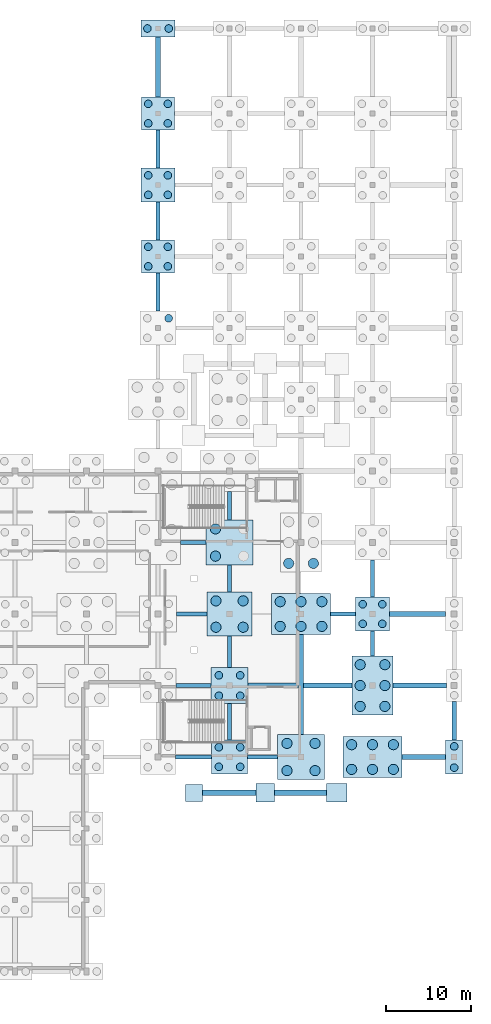
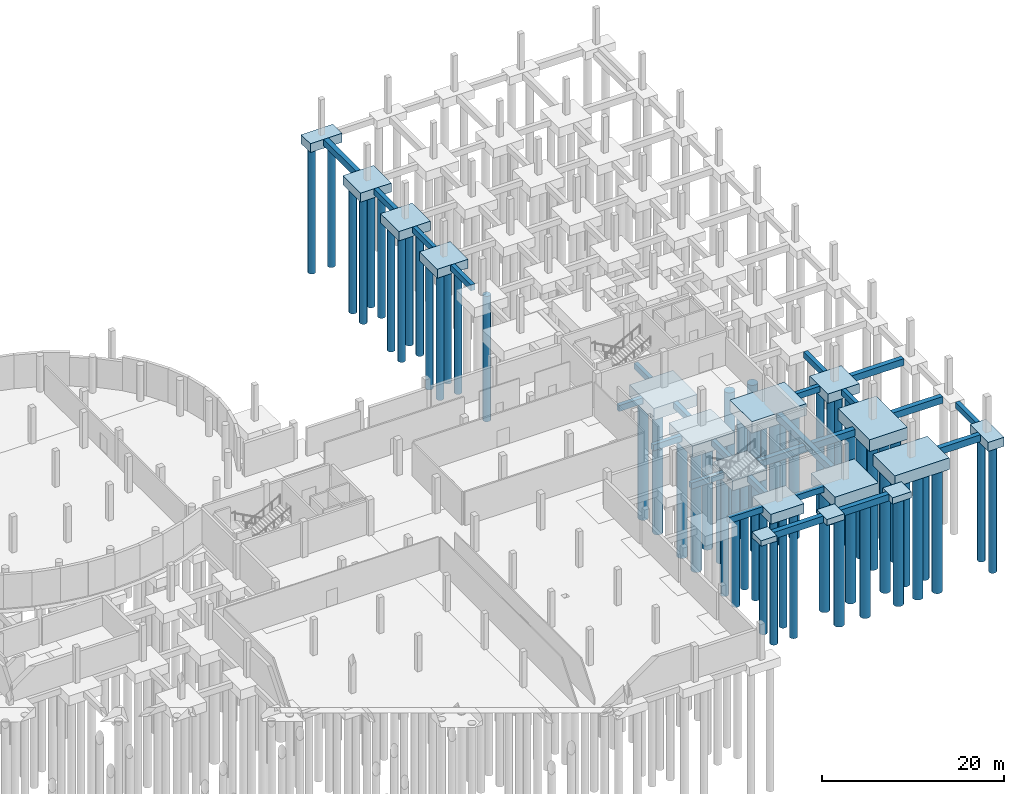
# One storey, part 9 of 24: 59 piles, 41 footings.
"""IFC4 building model written with IfcOpenShell, lengths in metres."""

import ifcopenshell
import ifcopenshell.guid

model = None  # the IFC model being written
_history = None  # IfcOwnerHistory: only IFC2X3 demands one
_inside = {}  # id of a spatial element -> (the spatial element, [elements in it])
_under = {}  # id of a project, library or spatial element -> (it, [spatial elements below it])
_declared = {}  # id of a project -> (the project, [libraries it declares])
_typed = {}  # id of a type object -> (the type object, [elements of that type])
_made_of = {}  # id of a material, layer set ... -> (it, [elements and type objects made of it])


def new_model(schema):
    """Start an empty IFC model of exactly this schema.

    Asked for "IFC4X3", IfcOpenShell would pick the latest addendum, in which some entities
    have other attributes; the version numbers below select the first issue.
    IFC2X3 requires an IfcOwnerHistory on every rooted entity: one is made here for all.
    """
    global model, _history
    if schema == "IFC4X3":
        model = ifcopenshell.file(schema_version=(4, 3, 0, 0))
    else:
        model = ifcopenshell.file(schema=schema)
    _inside.clear()
    _under.clear()
    _declared.clear()
    _typed.clear()
    _made_of.clear()
    _history = None
    if model.schema == "IFC2X3":
        org = make("IfcOrganization", Name="unknown")
        user = make(
            "IfcPersonAndOrganization",
            ThePerson=make("IfcPerson", FamilyName="unknown"),
            TheOrganization=org,
        )
        app = make(
            "IfcApplication",
            ApplicationDeveloper=org,
            Version="unknown",
            ApplicationFullName="unknown",
            ApplicationIdentifier="unknown",
        )
        _history = make(
            "IfcOwnerHistory",
            OwningUser=user,
            OwningApplication=app,
            ChangeAction="ADDED",
            CreationDate=0,
        )
    return model


def make(cls, **values):
    """One entity of the class cls with the attributes given. An attribute that is None is left unset."""
    return model.create_entity(
        cls, **{name: value for name, value in values.items() if value is not None}
    )


def rooted(cls, **values):
    """An entity with a GlobalId (a new one), such as an element, a storey or a relation."""
    return make(cls, GlobalId=ifcopenshell.guid.new(), OwnerHistory=_history, **values)


def si_unit(unit_type, name, prefix=None):
    """IfcSIUnit, for example si_unit("LENGTHUNIT", "METRE", prefix="MILLI")."""
    return make("IfcSIUnit", UnitType=unit_type, Prefix=prefix, Name=name)


def derived_unit(unit_type, elements):
    """IfcDerivedUnit: a product of units, each with its exponent."""
    return make(
        "IfcDerivedUnit",
        Elements=[
            make("IfcDerivedUnitElement", Unit=unit, Exponent=power)
            for unit, power in elements
        ],
        UnitType=unit_type,
    )


def assignment(units):
    """IfcUnitAssignment: the units of a project."""
    return None if units is None else make("IfcUnitAssignment", Units=units)


def point(xyz):
    """IfcCartesianPoint."""
    return None if xyz is None else make("IfcCartesianPoint", Coordinates=xyz)


def direction(xyz):
    """IfcDirection."""
    return None if xyz is None else make("IfcDirection", DirectionRatios=xyz)


def frame(location, z_axis=None, x_axis=None):
    """IfcAxis2Placement3D, a coordinate frame: its origin and axes. An axis left out is left unset."""
    return make(
        "IfcAxis2Placement3D",
        Location=point(location),
        Axis=direction(z_axis),
        RefDirection=direction(x_axis),
    )


def frame_2d(location, x_axis=None):
    """IfcAxis2Placement2D, a coordinate frame in the plane: its origin and x axis."""
    return make(
        "IfcAxis2Placement2D", Location=point(location), RefDirection=direction(x_axis)
    )


def origin():
    """The frame at (0, 0, 0) with its axes left unset."""
    return frame((0.0, 0.0, 0.0))


def origin_2d():
    """The frame at (0, 0) in the plane with its x axis left unset."""
    return frame_2d((0.0, 0.0))


def place(relative_to, where):
    """IfcLocalPlacement: puts the frame where relative to a parent placement (None: the world)."""
    return make(
        "IfcLocalPlacement", PlacementRelTo=relative_to, RelativePlacement=where
    )


def context(
    kind, dimensions, precision=None, world=None, true_north=None, identifier=None
):
    """IfcGeometricRepresentationContext, for example the 3D "Model" context."""
    return make(
        "IfcGeometricRepresentationContext",
        ContextIdentifier=identifier,
        ContextType=kind,
        CoordinateSpaceDimension=dimensions,
        Precision=precision,
        WorldCoordinateSystem=world,
        TrueNorth=true_north,
    )


def subcontext(parent, identifier, kind, view, scale=None):
    """IfcGeometricRepresentationSubContext, for example "Body" below "Model"."""
    return make(
        "IfcGeometricRepresentationSubContext",
        ContextIdentifier=identifier,
        ContextType=kind,
        ParentContext=parent,
        TargetScale=scale,
        TargetView=view,
    )


def project(units=None, contexts=None):
    """IfcProject with its units and contexts."""
    return rooted(
        "IfcProject",
        Name="project",
        RepresentationContexts=contexts,
        UnitsInContext=assignment(units),
    )


def spatial(cls, under=None, at=None, **own):
    """A site, building, storey or space (cls), placed at a placement, below another one or the project."""
    s = rooted(cls, ObjectPlacement=at, **own)
    if under is not None:
        _under.setdefault(under.id(), (under, []))[1].append(s)
    return s


def profile(cls, at=None, kind="AREA", **sizes):
    """A parametric profile (cls). Its sizes go by their IFC names, for example OverallWidth=200.0."""
    return make(cls, ProfileType=kind, Position=at, **sizes)


def rectangle(**sizes):
    """IfcRectangleProfileDef."""
    return profile("IfcRectangleProfileDef", **sizes)


def circle(**sizes):
    """IfcCircleProfileDef."""
    return profile("IfcCircleProfileDef", **sizes)


def extrude(swept, where, along, depth):
    """IfcExtrudedAreaSolid: the profile swept, set in the frame where, extruded along a direction by depth."""
    return make(
        "IfcExtrudedAreaSolid",
        SweptArea=swept,
        Position=where,
        ExtrudedDirection=direction(along),
        Depth=depth,
    )


def shape(context_of_items, identifier, shape_type, items):
    """IfcShapeRepresentation: the items that make up one representation, for example the "Body"."""
    return make(
        "IfcShapeRepresentation",
        ContextOfItems=context_of_items,
        RepresentationIdentifier=identifier,
        RepresentationType=shape_type,
        Items=items,
    )


def material(Name=None, Category=None):
    """IfcMaterial."""
    return make("IfcMaterial", Name=Name, Category=Category)


def layer(
    of_material, thickness, ventilated=None, Name=None, Category=None, Priority=None
):
    """IfcMaterialLayer: one layer of a wall or slab, of a material (None: an air gap)."""
    return make(
        "IfcMaterialLayer",
        Material=of_material,
        LayerThickness=thickness,
        IsVentilated=ventilated,
        Name=Name,
        Category=Category,
        Priority=Priority,
    )


def layer_set(layers, Name=None):
    """IfcMaterialLayerSet."""
    return make("IfcMaterialLayerSet", MaterialLayers=layers, LayerSetName=Name)


def material_profile(
    of_material, cross_section, Name=None, Category=None, Priority=None
):
    """IfcMaterialProfile: a cross section and its material."""
    return make(
        "IfcMaterialProfile",
        Name=Name,
        Material=of_material,
        Profile=cross_section,
        Priority=Priority,
        Category=Category,
    )


def profile_set(profiles, Name=None, composite=None):
    """IfcMaterialProfileSet."""
    return make(
        "IfcMaterialProfileSet",
        Name=Name,
        MaterialProfiles=profiles,
        CompositeProfile=composite,
    )


def made_of(thing, what):
    """Note that an element or type object is made of a material, layer set ...; save() writes the relation."""
    if what is not None:
        _made_of.setdefault(what.id(), (what, []))[1].append(thing)
    return thing


def type_object(cls, material=None, **own):
    """A type object (cls), such as IfcWallType, which elements share."""
    return made_of(rooted(cls, **own), material)


def element(
    cls,
    number,
    at=None,
    inside=None,
    cuts=None,
    type_object=None,
    material=None,
    context=None,
    identifier="Body",
    shape_type=None,
    held_by="IfcProductDefinitionShape",
    body=None,
    shapes=None,
    **own,
):
    """One element of the class cls, such as IfcWall. Its Tag is "e" and its number.

    at: its placement. inside: the storey or other place that contains it. cuts: it is an
    opening in that element (IfcRelVoidsElement). A single representation is given by context,
    identifier, shape_type and body (its items); several are given by shapes. held_by: the class
    of the entity that holds the representations. save() writes the other relations.
    """
    e = rooted(cls, Tag="e%d" % number, ObjectPlacement=at, **own)
    if body is not None:
        shapes = [shape(context, identifier, shape_type, body)]
    if shapes is not None:
        e.Representation = make(held_by, Representations=shapes)
    if inside is not None:
        _inside.setdefault(inside.id(), (inside, []))[1].append(e)
    if cuts is not None:
        rooted(
            "IfcRelVoidsElement", RelatingBuildingElement=cuts, RelatedOpeningElement=e
        )
    if type_object is not None:
        _typed.setdefault(type_object.id(), (type_object, []))[1].append(e)
    return made_of(e, material)


def aggregate(whole, parts):
    """IfcRelAggregates: a whole, such as a stair, and the parts it consists of."""
    return rooted("IfcRelAggregates", RelatingObject=whole, RelatedObjects=parts)


def save(model, path):
    """Write the relations noted so far, then the file.

    IfcRelAggregates (storeys below a building ...), IfcRelContainedInSpatialStructure (elements
    in a storey), IfcRelDefinesByType, IfcRelAssociatesMaterial and IfcRelDeclares: one each for
    every whole, place, type object, material and project.
    """
    for whole, parts in _under.values():
        aggregate(whole, parts)
    for where, things in _inside.values():
        rooted(
            "IfcRelContainedInSpatialStructure",
            RelatedElements=things,
            RelatingStructure=where,
        )
    for kind, things in _typed.values():
        rooted("IfcRelDefinesByType", RelatedObjects=things, RelatingType=kind)
    for what, things in _made_of.values():
        rooted("IfcRelAssociatesMaterial", RelatedObjects=things, RelatingMaterial=what)
    for by, libraries in _declared.values():
        rooted("IfcRelDeclares", RelatingContext=by, RelatedDefinitions=libraries)
    model.write(path)


model = new_model("IFC4")

# Units and contexts
model_context = context("Model", 3, precision=1e-05, world=origin(), true_north=direction((0.0, 1.0)))
body_context = subcontext(model_context, "Body", "Model", "MODEL_VIEW")
ifc_project = project(units=[si_unit("LENGTHUNIT", "METRE"), si_unit("AREAUNIT", "SQUARE_METRE"), si_unit("VOLUMEUNIT", "CUBIC_METRE"), si_unit("PLANEANGLEUNIT", "RADIAN"), si_unit("MASSUNIT", "GRAM", prefix="KILO"), derived_unit("THERMALTRANSMITTANCEUNIT", [(si_unit("POWERUNIT", "WATT"), 1), (si_unit("LENGTHUNIT", "METRE"), -2), (si_unit("THERMODYNAMICTEMPERATUREUNIT", "KELVIN"), -1)])], contexts=[model_context])

# Site, building, storey
site_placement = place(None, origin())
site = spatial("IfcSite", under=ifc_project, at=site_placement, CompositionType="ELEMENT")
building_placement = place(site_placement, origin())
building = spatial("IfcBuilding", under=site, at=building_placement, Name="Elbkamm Science Centre", CompositionType="ELEMENT")
storey_placement = place(building_placement, frame((0.0, 0.0, -4.800048828125)))
storey = spatial("IfcBuildingStorey", under=building, at=storey_placement, Name="B01", CompositionType="ELEMENT", Elevation=-4.800048828125)

# Footings
ifc_material = material(Name="Concrete C35/45", Category="concrete")
footing_type_1 = type_object("IfcFootingType", Name="FTG-TIE-500x800", PredefinedType="FOOTING_BEAM", material=ifc_material)
footing_1_placement = place(storey_placement, frame((130.175048828125, 25.199951171875, -0.7998046875), z_axis=(0.0, 0.0, 1.0), x_axis=(1.0, 0.0, 0.0)))
element("IfcFooting", 1, at=footing_1_placement, inside=storey, type_object=footing_type_1, Name="Substructure Ground Tie Beam X-040", PredefinedType="FOOTING_BEAM", context=body_context, shape_type="SweptSolid", body=[
    extrude(rectangle(XDim=4.25, YDim=0.5, at=origin_2d()), origin(), (0.0, 0.0, 1.0), 0.800048828125),
])
footing_2_placement = place(storey_placement, frame((138.27490234375, 25.199951171875, -0.7998046875), z_axis=(0.0, 0.0, 1.0), x_axis=(1.0, 0.0, 0.0)))
element("IfcFooting", 2, at=footing_2_placement, inside=storey, type_object=footing_type_1, Name="Substructure Ground Tie Beam X-041", PredefinedType="FOOTING_BEAM", context=body_context, shape_type="SweptSolid", body=[
    extrude(rectangle(XDim=3.550048828125, YDim=0.5, at=origin_2d()), origin(), (0.0, 0.0, 1.0), 0.800048828125),
])
footing_3_placement = place(storey_placement, frame((130.175048828125, 33.60009765625, -1.2998046875), z_axis=(0.0, 0.0, 1.0), x_axis=(1.0, 0.0, 0.0)))
element("IfcFooting", 3, at=footing_3_placement, inside=storey, type_object=footing_type_1, Name="Substructure Ground Tie Beam X-055", PredefinedType="FOOTING_BEAM", context=body_context, shape_type="SweptSolid", body=[
    extrude(rectangle(XDim=4.14990234375, YDim=0.5, at=origin_2d()), origin(), (0.0, 0.0, 1.0), 0.800048828125),
])
footing_4_placement = place(storey_placement, frame((129.949951171875, 42.0, -1.2998046875), z_axis=(0.0, 0.0, 1.0), x_axis=(1.0, 0.0, 0.0)))
element("IfcFooting", 4, at=footing_4_placement, inside=storey, type_object=footing_type_1, Name="Substructure Ground Tie Beam X-068", PredefinedType="FOOTING_BEAM", context=body_context, shape_type="SweptSolid", body=[
    extrude(rectangle(XDim=3.60009765625, YDim=0.5, at=origin_2d()), origin(), (0.0, 0.0, 1.0), 0.800048828125),
])
footing_5_placement = place(storey_placement, frame((147.72509765625, 42.0, -0.7998046875), z_axis=(0.0, 0.0, 1.0), x_axis=(1.0, 0.0, 0.0)))
element("IfcFooting", 5, at=footing_5_placement, inside=storey, type_object=footing_type_1, Name="Substructure Ground Tie Beam X-069", PredefinedType="FOOTING_BEAM", context=body_context, shape_type="SweptSolid", body=[
    extrude(rectangle(XDim=2.949951171875, YDim=0.5, at=origin_2d()), origin(), (0.0, 0.0, 1.0), 0.800048828125),
])
footing_6_placement = place(storey_placement, frame((130.14990234375, 50.39990234375, -1.2998046875), z_axis=(0.0, 0.0, 1.0), x_axis=(1.0, 0.0, 0.0)))
element("IfcFooting", 6, at=footing_6_placement, inside=storey, type_object=footing_type_1, Name="Substructure Ground Tie Beam X-077", PredefinedType="FOOTING_BEAM", context=body_context, shape_type="SweptSolid", body=[
    extrude(rectangle(XDim=3.0, YDim=0.5, at=origin_2d()), origin(), (0.0, 0.0, 1.0), 0.800048828125),
])
for number, where, z_axis, x_axis, name in (
    (7, (126.0, 79.824951171875, -0.7998046875), (0.0, 0.0, 1.0), (1.0, 0.0, 0.0), "Substructure Ground Tie Beam Y-212"),
    (8, (126.0, 88.175048828125, -0.7998046875), (0.0, 0.0, 1.0), (1.0, 0.0, 0.0), "Substructure Ground Tie Beam Y-213"),
    (9, (126.0, 96.625, -0.7998046875), (0.0, 0.0, 1.0), (1.0, 0.0, 0.0), "Substructure Ground Tie Beam Y-214"),
):
    element("IfcFooting", number, at=place(storey_placement, frame(where, z_axis=z_axis, x_axis=x_axis)), inside=storey, type_object=footing_type_1, Name=name, PredefinedType="FOOTING_BEAM", context=body_context, shape_type="SweptSolid", body=[
        extrude(rectangle(XDim=0.5, YDim=4.449951171875, at=origin_2d()), origin(), (0.0, 0.0, 1.0), 0.800048828125),
    ])
footing_7_placement = place(storey_placement, frame((134.39990234375, 29.35009765625, -1.2998046875), z_axis=(0.0, 0.0, 1.0), x_axis=(1.0, 0.0, 0.0)))
element("IfcFooting", 10, at=footing_7_placement, inside=storey, type_object=footing_type_1, Name="Substructure Ground Tie Beam Y-216", PredefinedType="FOOTING_BEAM", context=body_context, shape_type="SweptSolid", body=[
    extrude(rectangle(XDim=0.5, YDim=4.300048828125, at=origin_2d()), origin(), (0.0, 0.0, 1.0), 0.800048828125),
])
footing_8_placement = place(storey_placement, frame((134.39990234375, 37.550048828125, -1.2998046875), z_axis=(0.0, 0.0, 1.0), x_axis=(1.0, 0.0, 0.0)))
element("IfcFooting", 11, at=footing_8_placement, inside=storey, type_object=footing_type_1, Name="Substructure Ground Tie Beam Y-217", PredefinedType="FOOTING_BEAM", context=body_context, shape_type="SweptSolid", body=[
    extrude(rectangle(XDim=0.5, YDim=3.699951171875, at=origin_2d()), origin(), (0.0, 0.0, 1.0), 0.800048828125),
])
footing_9_placement = place(storey_placement, frame((134.39990234375, 46.175048828125, -1.2998046875), z_axis=(0.0, 0.0, 1.0), x_axis=(1.0, 0.0, 0.0)))
element("IfcFooting", 12, at=footing_9_placement, inside=storey, type_object=footing_type_1, Name="Substructure Ground Tie Beam Y-218", PredefinedType="FOOTING_BEAM", context=body_context, shape_type="SweptSolid", body=[
    extrude(rectangle(XDim=0.5, YDim=3.14990234375, at=origin_2d()), origin(), (0.0, 0.0, 1.0), 0.800048828125),
])
footing_10_placement = place(storey_placement, frame((134.39990234375, 54.72509765625, -1.2998046875), z_axis=(0.0, 0.0, 1.0), x_axis=(1.0, 0.0, 0.0)))
element("IfcFooting", 13, at=footing_10_placement, inside=storey, type_object=footing_type_1, Name="Substructure Ground Tie Beam Y-219", PredefinedType="FOOTING_BEAM", context=body_context, shape_type="SweptSolid", body=[
    extrude(rectangle(XDim=0.5, YDim=3.35009765625, at=origin_2d()), origin(), (0.0, 0.0, 1.0), 0.800048828125),
])
footing_11_placement = place(storey_placement, frame((151.199951171875, 38.52490234375, -0.7998046875), z_axis=(0.0, 0.0, 1.0), x_axis=(1.0, 0.0, 0.0)))
element("IfcFooting", 14, at=footing_11_placement, inside=storey, type_object=footing_type_1, Name="Substructure Ground Tie Beam Y-232", PredefinedType="FOOTING_BEAM", context=body_context, shape_type="SweptSolid", body=[
    extrude(rectangle(XDim=0.5, YDim=2.949951171875, at=origin_2d()), origin(), (0.0, 0.0, 1.0), 0.800048828125),
])
footing_12_placement = place(storey_placement, frame((151.199951171875, 46.175048828125, -0.7998046875), z_axis=(0.0, 0.0, 1.0), x_axis=(1.0, 0.0, 0.0)))
element("IfcFooting", 15, at=footing_12_placement, inside=storey, type_object=footing_type_1, Name="Substructure Ground Tie Beam Y-233", PredefinedType="FOOTING_BEAM", context=body_context, shape_type="SweptSolid", body=[
    extrude(rectangle(XDim=0.5, YDim=4.35009765625, at=origin_2d()), origin(), (0.0, 0.0, 1.0), 0.800048828125),
])
footing_13_placement = place(storey_placement, frame((160.800048828125, 29.449951171875, -0.7998046875), z_axis=(0.0, 0.0, 1.0), x_axis=(1.0, 0.0, 0.0)))
element("IfcFooting", 16, at=footing_13_placement, inside=storey, type_object=footing_type_1, Name="Substructure Ground Tie Beam Y-241", PredefinedType="FOOTING_BEAM", context=body_context, shape_type="SweptSolid", body=[
    extrude(rectangle(XDim=0.5, YDim=4.5, at=origin_2d()), origin(), (0.0, 0.0, 1.0), 0.800048828125),
])
footing_type_2 = type_object("IfcFootingType", Name="FTG-TIE-600x900", PredefinedType="FOOTING_BEAM", material=ifc_material)
footing_14_placement = place(storey_placement, frame((157.22509765625, 25.199951171875, -0.89990234375), z_axis=(0.0, 0.0, 1.0), x_axis=(1.0, 0.0, 0.0)))
element("IfcFooting", 17, at=footing_14_placement, inside=storey, type_object=footing_type_2, Name="Substructure Ground Tie Beam X-042", PredefinedType="FOOTING_BEAM", context=body_context, shape_type="SweptSolid", body=[
    extrude(rectangle(XDim=5.14990234375, YDim=0.60009765625, at=origin_2d()), origin(), (0.0, 0.0, 1.0), 0.89990234375),
])
footing_15_placement = place(storey_placement, frame((142.675048828125, 33.60009765625, -1.39990234375), z_axis=(0.0, 0.0, 1.0), x_axis=(1.0, 0.0, 0.0)))
element("IfcFooting", 18, at=footing_15_placement, inside=storey, type_object=footing_type_2, Name="Substructure Ground Tie Beam X-056", PredefinedType="FOOTING_BEAM", context=body_context, shape_type="SweptSolid", body=[
    extrude(rectangle(XDim=12.25, YDim=0.60009765625, at=origin_2d()), origin(), (0.0, 0.0, 1.0), 0.89990234375),
])
footing_16_placement = place(storey_placement, frame((156.75, 33.60009765625, -0.89990234375), z_axis=(0.0, 0.0, 1.0), x_axis=(1.0, 0.0, 0.0)))
element("IfcFooting", 19, at=footing_16_placement, inside=storey, type_object=footing_type_2, Name="Substructure Ground Tie Beam X-057", PredefinedType="FOOTING_BEAM", context=body_context, shape_type="SweptSolid", body=[
    extrude(rectangle(XDim=6.300048828125, YDim=0.60009765625, at=origin_2d()), origin(), (0.0, 0.0, 1.0), 0.89990234375),
])
footing_17_placement = place(storey_placement, frame((156.5, 42.0, -0.89990234375), z_axis=(0.0, 0.0, 1.0), x_axis=(1.0, 0.0, 0.0)))
element("IfcFooting", 20, at=footing_17_placement, inside=storey, type_object=footing_type_2, Name="Substructure Ground Tie Beam X-070", PredefinedType="FOOTING_BEAM", context=body_context, shape_type="SweptSolid", body=[
    extrude(rectangle(XDim=6.60009765625, YDim=0.60009765625, at=origin_2d()), origin(), (0.0, 0.0, 1.0), 0.89990234375),
])
footing_18_placement = place(storey_placement, frame((126.0, 106.27490234375, -0.89990234375), z_axis=(0.0, 0.0, 1.0), x_axis=(1.0, 0.0, 0.0)))
element("IfcFooting", 21, at=footing_18_placement, inside=storey, type_object=footing_type_2, Name="Substructure Ground Tie Beam Y-215", PredefinedType="FOOTING_BEAM", context=body_context, shape_type="SweptSolid", body=[
    extrude(rectangle(XDim=0.60009765625, YDim=7.050048828125, at=origin_2d()), origin(), (0.0, 0.0, 1.0), 0.89990234375),
])
footing_19_placement = place(storey_placement, frame((142.800048828125, 33.72509765625, -0.89990234375), z_axis=(0.0, 0.0, 1.0), x_axis=(1.0, 0.0, 0.0)))
element("IfcFooting", 22, at=footing_19_placement, inside=storey, type_object=footing_type_2, Name="Substructure Ground Tie Beam Y-225", PredefinedType="FOOTING_BEAM", context=body_context, shape_type="SweptSolid", body=[
    extrude(rectangle(XDim=0.60009765625, YDim=11.75, at=origin_2d()), origin(), (0.0, 0.0, 1.0), 0.89990234375),
])
footing_20_placement = place(storey_placement, frame((134.35009765625, 21.0, -1.39990234375), z_axis=(0.0, 0.0, 1.0), x_axis=(1.0, 0.0, 0.0)))
element("IfcFooting", 23, at=footing_20_placement, inside=storey, type_object=footing_type_2, Name="Substructure Ground Tie Beam X-251", PredefinedType="FOOTING_BEAM", context=body_context, shape_type="SweptSolid", body=[
    extrude(rectangle(XDim=6.300048828125, YDim=0.60009765625, at=origin_2d()), origin(), (0.0, 0.0, 1.0), 0.89990234375),
])
footing_21_placement = place(storey_placement, frame((142.75, 21.0, -1.39990234375), z_axis=(0.0, 0.0, 1.0), x_axis=(1.0, 0.0, 0.0)))
element("IfcFooting", 24, at=footing_21_placement, inside=storey, type_object=footing_type_2, Name="Substructure Ground Tie Beam X-252", PredefinedType="FOOTING_BEAM", context=body_context, shape_type="SweptSolid", body=[
    extrude(rectangle(XDim=6.10009765625, YDim=0.60009765625, at=origin_2d()), origin(), (0.0, 0.0, 1.0), 0.89990234375),
])
ifc_layer_1 = layer(ifc_material, 0.75)
ifc_layer_set_1 = layer_set([ifc_layer_1], Name="Concrete C35/45")
footing_type_3 = type_object("IfcFootingType", Name="PAD-200x200x75", PredefinedType="PAD_FOOTING", material=ifc_layer_set_1)
footing_22_placement = place(storey_placement, frame((130.199951171875, 21.0, -1.25), z_axis=(0.0, 0.0, 1.0), x_axis=(1.0, 0.0, 0.0)))
element("IfcFooting", 25, at=footing_22_placement, inside=storey, type_object=footing_type_3, Name="Equipment Pad Footing 01", PredefinedType="PAD_FOOTING", context=body_context, shape_type="SweptSolid", body=[
    extrude(rectangle(XDim=2.0, YDim=2.0, at=origin_2d()), origin(), (0.0, 0.0, 1.0), 0.75),
])
ifc_layer_2 = layer(ifc_material, 0.800048828125)
ifc_layer_set_2 = layer_set([ifc_layer_2], Name="Concrete C35/45")
footing_type_4 = type_object("IfcFootingType", Name="PAD-220x220x80", PredefinedType="PAD_FOOTING", material=ifc_layer_set_2)
footing_23_placement = place(storey_placement, frame((138.60009765625, 21.0, -1.2998046875), z_axis=(0.0, 0.0, 1.0), x_axis=(1.0, 0.0, 0.0)))
element("IfcFooting", 26, at=footing_23_placement, inside=storey, type_object=footing_type_4, Name="Equipment Pad Footing 02", PredefinedType="PAD_FOOTING", context=body_context, shape_type="SweptSolid", body=[
    extrude(rectangle(XDim=2.199951171875, YDim=2.199951171875, at=origin_2d()), origin(), (0.0, 0.0, 1.0), 0.800048828125),
])
ifc_layer_3 = layer(ifc_material, 0.85009765625)
ifc_layer_set_3 = layer_set([ifc_layer_3], Name="Concrete C35/45")
footing_type_5 = type_object("IfcFootingType", Name="PAD-240x220x85", PredefinedType="PAD_FOOTING", material=ifc_layer_set_3)
footing_24_placement = place(storey_placement, frame((147.0, 21.0, -1.35009765625), z_axis=(0.0, 0.0, 1.0), x_axis=(1.0, 0.0, 0.0)))
element("IfcFooting", 27, at=footing_24_placement, inside=storey, type_object=footing_type_5, Name="Equipment Pad Footing 03", PredefinedType="PAD_FOOTING", context=body_context, shape_type="SweptSolid", body=[
    extrude(rectangle(XDim=2.39990234375, YDim=2.199951171875, at=origin_2d()), origin(), (0.0, 0.0, 1.0), 0.85009765625),
])
ifc_layer_4 = layer(ifc_material, 1.199951171875)
ifc_layer_set_4 = layer_set([ifc_layer_4], Name="Concrete C35/45")
footing_type_6 = type_object("IfcFootingType", Name="PC-2P-200x400x120", PredefinedType="PILE_CAP", material=ifc_layer_set_4)
footing_25_placement = place(storey_placement, frame((160.800048828125, 25.199951171875, -1.19970703125), z_axis=(0.0, 0.0, 1.0), x_axis=(1.0, 0.0, 0.0)))
element("IfcFooting", 28, at=footing_25_placement, inside=storey, type_object=footing_type_6, Name="Pile Cap GRID-20-D", PredefinedType="PILE_CAP", context=body_context, shape_type="SweptSolid", body=[
    extrude(rectangle(XDim=2.0, YDim=4.0, at=origin_2d()), origin(), (0.0, 0.0, 1.0), 1.199951171875),
])
ifc_layer_5 = layer(ifc_material, 1.199951171875)
ifc_layer_set_5 = layer_set([ifc_layer_5], Name="Concrete C35/45")
footing_type_7 = type_object("IfcFootingType", Name="PC-2P-400x200x120", PredefinedType="PILE_CAP", material=ifc_layer_set_5)
footing_26_placement = place(storey_placement, frame((126.0, 110.800048828125, -1.19970703125), z_axis=(0.0, 0.0, 1.0), x_axis=(1.0, 0.0, 0.0)))
element("IfcFooting", 29, at=footing_26_placement, inside=storey, type_object=footing_type_7, Name="Pile Cap GRID-16-P", PredefinedType="PILE_CAP", context=body_context, shape_type="SweptSolid", body=[
    extrude(rectangle(XDim=4.0, YDim=2.0, at=origin_2d()), origin(), (0.0, 0.0, 1.0), 1.199951171875),
])
ifc_layer_6 = layer(ifc_material, 1.199951171875)
ifc_layer_set_6 = layer_set([ifc_layer_6], Name="Concrete C35/45")
footing_type_8 = type_object("IfcFootingType", Name="PC-4P-390x390x120", PredefinedType="PILE_CAP", material=ifc_layer_set_6)
for number, where, z_axis, x_axis, name in (
    (30, (126.0, 84.0, -1.19970703125), (0.0, 0.0, 1.0), (1.0, 0.0, 0.0), "Pile Cap GRID-16-L"),
    (31, (126.0, 100.800048828125, -1.19970703125), (0.0, 0.0, 1.0), (1.0, 0.0, 0.0), "Pile Cap GRID-16-N"),
):
    element("IfcFooting", number, at=place(storey_placement, frame(where, z_axis=z_axis, x_axis=x_axis)), inside=storey, type_object=footing_type_8, Name=name, PredefinedType="PILE_CAP", context=body_context, shape_type="SweptSolid", body=[
        extrude(rectangle(XDim=3.89990234375, YDim=3.89990234375, at=origin_2d()), origin(), (0.0, 0.0, 1.0), 1.199951171875),
    ])
ifc_layer_7 = layer(ifc_material, 1.25)
ifc_layer_set_7 = layer_set([ifc_layer_7], Name="Concrete C35/45")
footing_type_9 = type_object("IfcFootingType", Name="PC-4P-400x400x125", PredefinedType="PILE_CAP", material=ifc_layer_set_7)
for number, where, z_axis, x_axis, name in (
    (32, (126.0, 92.39990234375, -1.25), (0.0, 0.0, 1.0), (1.0, 0.0, 0.0), "Pile Cap GRID-16-M"),
    (33, (151.199951171875, 42.0, -1.25), (0.0, 0.0, 1.0), (1.0, 0.0, 0.0), "Pile Cap GRID-19-F"),
):
    element("IfcFooting", number, at=place(storey_placement, frame(where, z_axis=z_axis, x_axis=x_axis)), inside=storey, type_object=footing_type_9, Name=name, PredefinedType="PILE_CAP", context=body_context, shape_type="SweptSolid", body=[
        extrude(rectangle(XDim=4.0, YDim=4.0, at=origin_2d()), origin(), (0.0, 0.0, 1.0), 1.25),
    ])
ifc_layer_8 = layer(ifc_material, 1.300048828125)
ifc_layer_set_8 = layer_set([ifc_layer_8], Name="Concrete C35/45")
footing_type_10 = type_object("IfcFootingType", Name="PC-4P-420x400x130", PredefinedType="PILE_CAP", material=ifc_layer_set_8)
footing_27_placement = place(storey_placement, frame((134.39990234375, 25.199951171875, -1.2998046875), z_axis=(0.0, 0.0, 1.0), x_axis=(1.0, 0.0, 0.0)))
element("IfcFooting", 34, at=footing_27_placement, inside=storey, type_object=footing_type_10, Name="Pile Cap GRID-17-D", PredefinedType="PILE_CAP", context=body_context, shape_type="SweptSolid", body=[
    extrude(rectangle(XDim=4.199951171875, YDim=4.0, at=origin_2d()), origin(), (0.0, 0.0, 1.0), 1.300048828125),
])
ifc_layer_9 = layer(ifc_material, 1.35009765625)
ifc_layer_set_9 = layer_set([ifc_layer_9], Name="Concrete C35/45")
footing_type_11 = type_object("IfcFootingType", Name="PC-4P-430x420x135", PredefinedType="PILE_CAP", material=ifc_layer_set_9)
footing_28_placement = place(storey_placement, frame((134.39990234375, 33.60009765625, -1.85009765625), z_axis=(0.0, 0.0, 1.0), x_axis=(1.0, 0.0, 0.0)))
element("IfcFooting", 35, at=footing_28_placement, inside=storey, type_object=footing_type_11, Name="Pile Cap GRID-17-E", PredefinedType="PILE_CAP", context=body_context, shape_type="SweptSolid", body=[
    extrude(rectangle(XDim=4.300048828125, YDim=4.199951171875, at=origin_2d()), origin(), (0.0, 0.0, 1.0), 1.35009765625),
])
ifc_layer_10 = layer(ifc_material, 1.5)
ifc_layer_set_10 = layer_set([ifc_layer_10], Name="Concrete C35/45")
footing_type_12 = type_object("IfcFootingType", Name="PC-4P-530x520x150", PredefinedType="PILE_CAP", material=ifc_layer_set_10)
footing_29_placement = place(storey_placement, frame((134.39990234375, 42.0, -2.0), z_axis=(0.0, 0.0, 1.0), x_axis=(1.0, 0.0, 0.0)))
element("IfcFooting", 36, at=footing_29_placement, inside=storey, type_object=footing_type_12, Name="Pile Cap GRID-17-F", PredefinedType="PILE_CAP", context=body_context, shape_type="SweptSolid", body=[
    extrude(rectangle(XDim=5.300048828125, YDim=5.199951171875, at=origin_2d()), origin(), (0.0, 0.0, 1.0), 1.5),
])
ifc_layer_11 = layer(ifc_material, 1.550048828125)
ifc_layer_set_11 = layer_set([ifc_layer_11], Name="Concrete C35/45")
footing_type_13 = type_object("IfcFootingType", Name="PC-4P-550x530x155", PredefinedType="PILE_CAP", material=ifc_layer_set_11)
for number, where, z_axis, x_axis, name in (
    (37, (134.39990234375, 50.39990234375, -2.0498046875), (0.0, 0.0, 1.0), (1.0, 0.0, 0.0), "Pile Cap GRID-17-G"),
    (38, (142.800048828125, 25.199951171875, -1.5498046875), (0.0, 0.0, 1.0), (1.0, 0.0, 0.0), "Pile Cap GRID-18-D"),
):
    element("IfcFooting", number, at=place(storey_placement, frame(where, z_axis=z_axis, x_axis=x_axis)), inside=storey, type_object=footing_type_13, Name=name, PredefinedType="PILE_CAP", context=body_context, shape_type="SweptSolid", body=[
        extrude(rectangle(XDim=5.5, YDim=5.300048828125, at=origin_2d()), origin(), (0.0, 0.0, 1.0), 1.550048828125),
    ])
ifc_layer_12 = layer(ifc_material, 1.60009765625)
ifc_layer_set_12 = layer_set([ifc_layer_12], Name="Concrete C35/45")
footing_type_14 = type_object("IfcFootingType", Name="PC-6P-480x690x160", PredefinedType="PILE_CAP", material=ifc_layer_set_12)
footing_30_placement = place(storey_placement, frame((151.199951171875, 33.60009765625, -1.60009765625), z_axis=(0.0, 0.0, 1.0), x_axis=(1.0, 0.0, 0.0)))
element("IfcFooting", 39, at=footing_30_placement, inside=storey, type_object=footing_type_14, Name="Pile Cap GRID-19-E", PredefinedType="PILE_CAP", context=body_context, shape_type="SweptSolid", body=[
    extrude(rectangle(XDim=4.800048828125, YDim=6.89990234375, at=origin_2d()), origin(), (0.0, 0.0, 1.0), 1.60009765625),
])
ifc_layer_13 = layer(ifc_material, 1.550048828125)
ifc_layer_set_13 = layer_set([ifc_layer_13], Name="Concrete C35/45")
footing_type_15 = type_object("IfcFootingType", Name="PC-6P-690x480x155", PredefinedType="PILE_CAP", material=ifc_layer_set_13)
for number, where, z_axis, x_axis, name in (
    (40, (142.800048828125, 42.0, -1.5498046875), (0.0, 0.0, 1.0), (1.0, 0.0, 0.0), "Pile Cap GRID-18-F"),
    (41, (151.199951171875, 25.199951171875, -1.5498046875), (0.0, 0.0, 1.0), (1.0, 0.0, 0.0), "Pile Cap GRID-19-D"),
):
    element("IfcFooting", number, at=place(storey_placement, frame(where, z_axis=z_axis, x_axis=x_axis)), inside=storey, type_object=footing_type_15, Name=name, PredefinedType="PILE_CAP", context=body_context, shape_type="SweptSolid", body=[
        extrude(rectangle(XDim=6.89990234375, YDim=4.800048828125, at=origin_2d()), origin(), (0.0, 0.0, 1.0), 1.550048828125),
    ])

# Piles
ifc_material_profile_1 = material_profile(ifc_material, circle(Radius=0.60009765625, at=origin_2d()), Name="PILE D1200")
ifc_profile_set_1 = profile_set([ifc_material_profile_1], Name="Concrete C35/45")
pile_type_1 = type_object("IfcPileType", Name="PILE-BORED-1200", PredefinedType="BORED", material=ifc_profile_set_1)
for number, where, z_axis, x_axis, name in (
    (42, (132.800048828125, 40.449951171875, -1.89990234375), (0.0, 0.0, -1.0), (1.0, 0.0, 0.0), "Bored Pile GRID-17-F-1"),
    (43, (136.0, 40.449951171875, -1.89990234375), (0.0, 0.0, -1.0), (1.0, 0.0, 0.0), "Bored Pile GRID-17-F-2"),
    (44, (132.800048828125, 43.550048828125, -1.89990234375), (0.0, 0.0, -1.0), (1.0, 0.0, 0.0), "Bored Pile GRID-17-F-3"),
    (45, (136.0, 43.550048828125, -1.89990234375), (0.0, 0.0, -1.0), (1.0, 0.0, 0.0), "Bored Pile GRID-17-F-4"),
):
    element("IfcPile", number, at=place(storey_placement, frame(where, z_axis=z_axis, x_axis=x_axis)), inside=storey, type_object=pile_type_1, Name=name, PredefinedType="BORED", context=body_context, shape_type="SweptSolid", body=[
        extrude(circle(Radius=0.60009765625, at=origin_2d()), origin(), (0.0, 0.0, 1.0), 16.10009765625),
    ])
for number, where, z_axis, x_axis, name in (
    (46, (132.75, 48.800048828125, -1.949951171875), (0.0, 0.0, -1.0), (1.0, 0.0, 0.0), "Bored Pile GRID-17-G-1"),
    (47, (132.75, 52.0, -1.949951171875), (0.0, 0.0, -1.0), (1.0, 0.0, 0.0), "Bored Pile GRID-17-G-3"),
):
    element("IfcPile", number, at=place(storey_placement, frame(where, z_axis=z_axis, x_axis=x_axis)), inside=storey, type_object=pile_type_1, Name=name, PredefinedType="BORED", context=body_context, shape_type="SweptSolid", body=[
        extrude(circle(Radius=0.60009765625, at=origin_2d()), origin(), (0.0, 0.0, 1.0), 16.050048828125),
    ])
for number, where, z_axis, x_axis, name in (
    (48, (141.14990234375, 23.60009765625, -1.449951171875), (0.0, 0.0, -1.0), (1.0, 0.0, 0.0), "Bored Pile GRID-18-D-1"),
    (49, (144.449951171875, 23.60009765625, -1.449951171875), (0.0, 0.0, -1.0), (1.0, 0.0, 0.0), "Bored Pile GRID-18-D-2"),
    (50, (141.14990234375, 26.800048828125, -1.449951171875), (0.0, 0.0, -1.0), (1.0, 0.0, 0.0), "Bored Pile GRID-18-D-3"),
    (51, (144.449951171875, 26.800048828125, -1.449951171875), (0.0, 0.0, -1.0), (1.0, 0.0, 0.0), "Bored Pile GRID-18-D-4"),
    (52, (140.35009765625, 40.550048828125, -1.449951171875), (0.0, 0.0, -1.0), (1.0, 0.0, 0.0), "Bored Pile GRID-18-F-1"),
    (53, (142.800048828125, 40.550048828125, -1.449951171875), (0.0, 0.0, -1.0), (1.0, 0.0, 0.0), "Bored Pile GRID-18-F-2"),
    (54, (145.25, 40.550048828125, -1.449951171875), (0.0, 0.0, -1.0), (1.0, 0.0, 0.0), "Bored Pile GRID-18-F-3"),
    (55, (140.35009765625, 43.449951171875, -1.449951171875), (0.0, 0.0, -1.0), (1.0, 0.0, 0.0), "Bored Pile GRID-18-F-4"),
    (56, (142.800048828125, 43.449951171875, -1.449951171875), (0.0, 0.0, -1.0), (1.0, 0.0, 0.0), "Bored Pile GRID-18-F-5"),
    (57, (145.25, 43.449951171875, -1.449951171875), (0.0, 0.0, -1.0), (1.0, 0.0, 0.0), "Bored Pile GRID-18-F-6"),
):
    element("IfcPile", number, at=place(storey_placement, frame(where, z_axis=z_axis, x_axis=x_axis)), inside=storey, type_object=pile_type_1, Name=name, PredefinedType="BORED", context=body_context, shape_type="SweptSolid", body=[
        extrude(circle(Radius=0.60009765625, at=origin_2d()), origin(), (0.0, 0.0, 1.0), 16.550048828125),
    ])
for number, where, z_axis, x_axis, name in (
    (58, (141.35009765625, 47.949951171875, -1.5), (0.0, 0.0, -1.0), (1.0, 0.0, 0.0), "Bored Pile GRID-18-G-1"),
    (59, (144.25, 47.949951171875, -1.5), (0.0, 0.0, -1.0), (1.0, 0.0, 0.0), "Bored Pile GRID-18-G-4"),
):
    element("IfcPile", number, at=place(storey_placement, frame(where, z_axis=z_axis, x_axis=x_axis)), inside=storey, type_object=pile_type_1, Name=name, PredefinedType="BORED", context=body_context, shape_type="SweptSolid", body=[
        extrude(circle(Radius=0.60009765625, at=origin_2d()), origin(), (0.0, 0.0, 1.0), 16.5),
    ])
for number, where, z_axis, x_axis, name in (
    (60, (148.75, 23.75, -1.449951171875), (0.0, 0.0, -1.0), (1.0, 0.0, 0.0), "Bored Pile GRID-19-D-1"),
    (61, (151.199951171875, 23.75, -1.449951171875), (0.0, 0.0, -1.0), (1.0, 0.0, 0.0), "Bored Pile GRID-19-D-2"),
    (62, (153.64990234375, 23.75, -1.449951171875), (0.0, 0.0, -1.0), (1.0, 0.0, 0.0), "Bored Pile GRID-19-D-3"),
    (63, (148.75, 26.64990234375, -1.449951171875), (0.0, 0.0, -1.0), (1.0, 0.0, 0.0), "Bored Pile GRID-19-D-4"),
    (64, (151.199951171875, 26.64990234375, -1.449951171875), (0.0, 0.0, -1.0), (1.0, 0.0, 0.0), "Bored Pile GRID-19-D-5"),
    (65, (153.64990234375, 26.64990234375, -1.449951171875), (0.0, 0.0, -1.0), (1.0, 0.0, 0.0), "Bored Pile GRID-19-D-6"),
):
    element("IfcPile", number, at=place(storey_placement, frame(where, z_axis=z_axis, x_axis=x_axis)), inside=storey, type_object=pile_type_1, Name=name, PredefinedType="BORED", context=body_context, shape_type="SweptSolid", body=[
        extrude(circle(Radius=0.60009765625, at=origin_2d()), origin(), (0.0, 0.0, 1.0), 16.550048828125),
    ])
for number, where, z_axis, x_axis, name in (
    (66, (149.75, 31.14990234375, -1.5), (0.0, 0.0, -1.0), (1.0, 0.0, 0.0), "Bored Pile GRID-19-E-1"),
    (67, (149.75, 33.60009765625, -1.5), (0.0, 0.0, -1.0), (1.0, 0.0, 0.0), "Bored Pile GRID-19-E-2"),
    (68, (149.75, 36.050048828125, -1.5), (0.0, 0.0, -1.0), (1.0, 0.0, 0.0), "Bored Pile GRID-19-E-3"),
    (69, (152.64990234375, 31.14990234375, -1.5), (0.0, 0.0, -1.0), (1.0, 0.0, 0.0), "Bored Pile GRID-19-E-4"),
    (70, (152.64990234375, 33.60009765625, -1.5), (0.0, 0.0, -1.0), (1.0, 0.0, 0.0), "Bored Pile GRID-19-E-5"),
    (71, (152.64990234375, 36.050048828125, -1.5), (0.0, 0.0, -1.0), (1.0, 0.0, 0.0), "Bored Pile GRID-19-E-6"),
):
    element("IfcPile", number, at=place(storey_placement, frame(where, z_axis=z_axis, x_axis=x_axis)), inside=storey, type_object=pile_type_1, Name=name, PredefinedType="BORED", context=body_context, shape_type="SweptSolid", body=[
        extrude(circle(Radius=0.60009765625, at=origin_2d()), origin(), (0.0, 0.0, 1.0), 16.5),
    ])
ifc_material_profile_2 = material_profile(ifc_material, circle(Radius=0.449951171875, at=origin_2d()), Name="PILE D900")
ifc_profile_set_2 = profile_set([ifc_material_profile_2], Name="Concrete C35/45")
pile_type_2 = type_object("IfcPileType", Name="PILE-BORED-900", PredefinedType="BORED", material=ifc_profile_set_2)
pile_placement = place(storey_placement, frame((127.25, 76.75, -1.199951171875), z_axis=(0.0, 0.0, -1.0), x_axis=(1.0, 0.0, 0.0)))
element("IfcPile", 72, at=pile_placement, inside=storey, type_object=pile_type_2, Name="Bored Pile GRID-16-K-4", PredefinedType="BORED", context=body_context, shape_type="SweptSolid", body=[
    extrude(circle(Radius=0.449951171875, at=origin_2d()), origin(), (0.0, 0.0, 1.0), 16.800048828125),
])
for number, where, z_axis, x_axis, name in (
    (73, (124.85009765625, 82.85009765625, -1.099853515625), (0.0, 0.0, -1.0), (1.0, 0.0, 0.0), "Bored Pile GRID-16-L-1"),
    (74, (127.14990234375, 82.85009765625, -1.099853515625), (0.0, 0.0, -1.0), (1.0, 0.0, 0.0), "Bored Pile GRID-16-L-2"),
    (75, (124.85009765625, 85.14990234375, -1.099853515625), (0.0, 0.0, -1.0), (1.0, 0.0, 0.0), "Bored Pile GRID-16-L-3"),
    (76, (127.14990234375, 85.14990234375, -1.099853515625), (0.0, 0.0, -1.0), (1.0, 0.0, 0.0), "Bored Pile GRID-16-L-4"),
):
    element("IfcPile", number, at=place(storey_placement, frame(where, z_axis=z_axis, x_axis=x_axis)), inside=storey, type_object=pile_type_2, Name=name, PredefinedType="BORED", context=body_context, shape_type="SweptSolid", body=[
        extrude(circle(Radius=0.449951171875, at=origin_2d()), origin(), (0.0, 0.0, 1.0), 16.89990234375),
    ])
for number, where, z_axis, x_axis, name in (
    (77, (124.85009765625, 91.25, -1.14990234375), (0.0, 0.0, -1.0), (1.0, 0.0, 0.0), "Bored Pile GRID-16-M-1"),
    (78, (127.14990234375, 91.25, -1.14990234375), (0.0, 0.0, -1.0), (1.0, 0.0, 0.0), "Bored Pile GRID-16-M-2"),
    (79, (124.85009765625, 93.550048828125, -1.14990234375), (0.0, 0.0, -1.0), (1.0, 0.0, 0.0), "Bored Pile GRID-16-M-3"),
    (80, (127.14990234375, 93.550048828125, -1.14990234375), (0.0, 0.0, -1.0), (1.0, 0.0, 0.0), "Bored Pile GRID-16-M-4"),
):
    element("IfcPile", number, at=place(storey_placement, frame(where, z_axis=z_axis, x_axis=x_axis)), inside=storey, type_object=pile_type_2, Name=name, PredefinedType="BORED", context=body_context, shape_type="SweptSolid", body=[
        extrude(circle(Radius=0.449951171875, at=origin_2d()), origin(), (0.0, 0.0, 1.0), 16.85009765625),
    ])
for number, where, z_axis, x_axis, name in (
    (81, (133.14990234375, 24.050048828125, -1.199951171875), (0.0, 0.0, -1.0), (1.0, 0.0, 0.0), "Bored Pile GRID-17-D-1"),
    (82, (135.64990234375, 24.050048828125, -1.199951171875), (0.0, 0.0, -1.0), (1.0, 0.0, 0.0), "Bored Pile GRID-17-D-2"),
    (83, (133.14990234375, 26.35009765625, -1.199951171875), (0.0, 0.0, -1.0), (1.0, 0.0, 0.0), "Bored Pile GRID-17-D-3"),
    (84, (135.64990234375, 26.35009765625, -1.199951171875), (0.0, 0.0, -1.0), (1.0, 0.0, 0.0), "Bored Pile GRID-17-D-4"),
):
    element("IfcPile", number, at=place(storey_placement, frame(where, z_axis=z_axis, x_axis=x_axis)), inside=storey, type_object=pile_type_2, Name=name, PredefinedType="BORED", context=body_context, shape_type="SweptSolid", body=[
        extrude(circle(Radius=0.449951171875, at=origin_2d()), origin(), (0.0, 0.0, 1.0), 16.800048828125),
    ])
for number, where, z_axis, x_axis, name in (
    (85, (133.14990234375, 32.39990234375, -1.75), (0.0, 0.0, -1.0), (1.0, 0.0, 0.0), "Bored Pile GRID-17-E-1"),
    (86, (135.64990234375, 32.39990234375, -1.75), (0.0, 0.0, -1.0), (1.0, 0.0, 0.0), "Bored Pile GRID-17-E-2"),
    (87, (133.14990234375, 34.800048828125, -1.75), (0.0, 0.0, -1.0), (1.0, 0.0, 0.0), "Bored Pile GRID-17-E-3"),
    (88, (135.64990234375, 34.800048828125, -1.75), (0.0, 0.0, -1.0), (1.0, 0.0, 0.0), "Bored Pile GRID-17-E-4"),
):
    element("IfcPile", number, at=place(storey_placement, frame(where, z_axis=z_axis, x_axis=x_axis)), inside=storey, type_object=pile_type_2, Name=name, PredefinedType="BORED", context=body_context, shape_type="SweptSolid", body=[
        extrude(circle(Radius=0.449951171875, at=origin_2d()), origin(), (0.0, 0.0, 1.0), 16.25),
    ])
for number, where, z_axis, x_axis, name in (
    (89, (150.050048828125, 40.85009765625, -1.14990234375), (0.0, 0.0, -1.0), (1.0, 0.0, 0.0), "Bored Pile GRID-19-F-1"),
    (90, (152.35009765625, 40.85009765625, -1.14990234375), (0.0, 0.0, -1.0), (1.0, 0.0, 0.0), "Bored Pile GRID-19-F-2"),
    (91, (150.050048828125, 43.14990234375, -1.14990234375), (0.0, 0.0, -1.0), (1.0, 0.0, 0.0), "Bored Pile GRID-19-F-3"),
    (92, (152.35009765625, 43.14990234375, -1.14990234375), (0.0, 0.0, -1.0), (1.0, 0.0, 0.0), "Bored Pile GRID-19-F-4"),
):
    element("IfcPile", number, at=place(storey_placement, frame(where, z_axis=z_axis, x_axis=x_axis)), inside=storey, type_object=pile_type_2, Name=name, PredefinedType="BORED", context=body_context, shape_type="SweptSolid", body=[
        extrude(circle(Radius=0.449951171875, at=origin_2d()), origin(), (0.0, 0.0, 1.0), 16.85009765625),
    ])
for number, where, z_axis, x_axis, name in (
    (93, (160.800048828125, 23.949951171875, -1.099853515625), (0.0, 0.0, -1.0), (1.0, 0.0, 0.0), "Bored Pile GRID-20-D-1"),
    (94, (160.800048828125, 26.449951171875, -1.099853515625), (0.0, 0.0, -1.0), (1.0, 0.0, 0.0), "Bored Pile GRID-20-D-2"),
    (95, (124.85009765625, 99.64990234375, -1.099853515625), (0.0, 0.0, -1.0), (1.0, 0.0, 0.0), "Bored Pile GRID-16-N-1"),
    (96, (127.14990234375, 99.64990234375, -1.099853515625), (0.0, 0.0, -1.0), (1.0, 0.0, 0.0), "Bored Pile GRID-16-N-2"),
    (97, (124.85009765625, 101.949951171875, -1.099853515625), (0.0, 0.0, -1.0), (1.0, 0.0, 0.0), "Bored Pile GRID-16-N-3"),
    (98, (127.14990234375, 101.949951171875, -1.099853515625), (0.0, 0.0, -1.0), (1.0, 0.0, 0.0), "Bored Pile GRID-16-N-4"),
    (99, (124.75, 110.800048828125, -1.099853515625), (0.0, 0.0, -1.0), (1.0, 0.0, 0.0), "Bored Pile GRID-16-P-1"),
    (100, (127.25, 110.800048828125, -1.099853515625), (0.0, 0.0, -1.0), (1.0, 0.0, 0.0), "Bored Pile GRID-16-P-2"),
):
    element("IfcPile", number, at=place(storey_placement, frame(where, z_axis=z_axis, x_axis=x_axis)), inside=storey, type_object=pile_type_2, Name=name, PredefinedType="BORED", context=body_context, shape_type="SweptSolid", body=[
        extrude(circle(Radius=0.449951171875, at=origin_2d()), origin(), (0.0, 0.0, 1.0), 16.89990234375),
    ])

save(model, "model.ifc")
